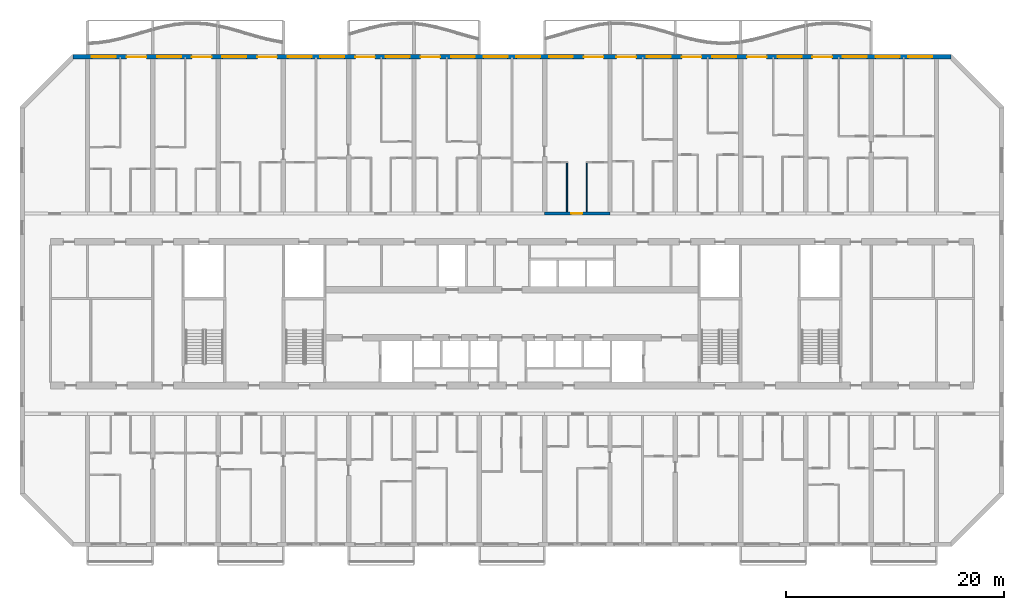
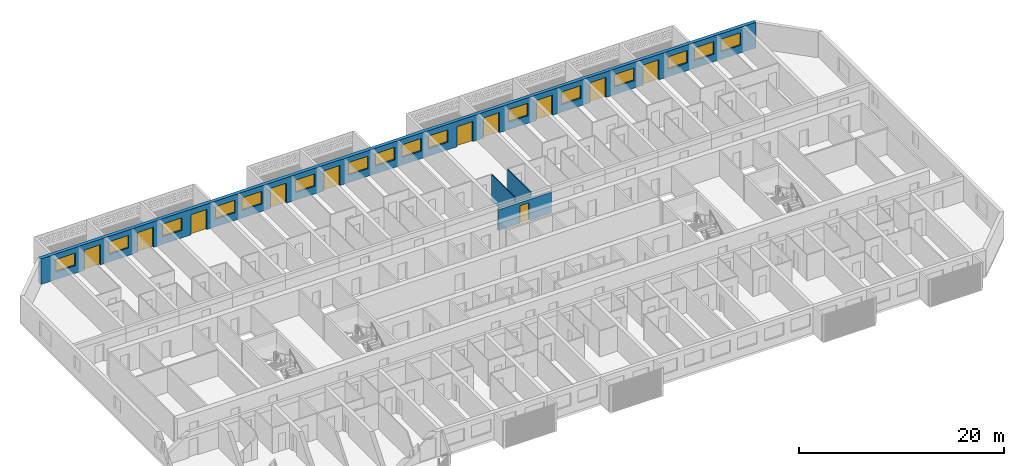
# One storey, part 12 of 39: 16 windows, 11 doors, 4 walls, 27 openings.
"""IFC4 building model written with IfcOpenShell, lengths in metres."""

from ifc_helpers import new_model, si_unit, direction, frame, frame_2d, origin, place, context, subcontext, project, spatial, rectangle, extrude, material, layer, layer_set, type_object, element, fill, save


model = new_model("IFC4")

# Units and contexts
model_context = context("Model", 3, precision=1e-05, world=origin(), true_north=direction((0.0, 1.0)))
body_context = subcontext(model_context, "Body", "Model", "MODEL_VIEW")
ifc_project = project(units=[si_unit("LENGTHUNIT", "METRE"), si_unit("AREAUNIT", "SQUARE_METRE"), si_unit("VOLUMEUNIT", "CUBIC_METRE"), si_unit("PLANEANGLEUNIT", "RADIAN"), si_unit("MASSUNIT", "GRAM", prefix="KILO")], contexts=[model_context])

# Site, building, storey
site_placement = place(None, origin())
site = spatial("IfcSite", under=ifc_project, at=site_placement, CompositionType="ELEMENT")
building_placement = place(site_placement, origin())
building = spatial("IfcBuilding", under=site, at=building_placement, Name="Poui Terraces", CompositionType="ELEMENT")
storey_placement = place(building_placement, frame((0.0, 0.0, 59.699951171875)))
storey = spatial("IfcBuildingStorey", under=building, at=storey_placement, Name="L16", CompositionType="ELEMENT", Elevation=59.699951171875)

# Wall, opening, door
ifc_material_1 = material(Name="Concrete 80 MPa", Category="concrete")
ifc_layer_1 = layer(ifc_material_1, 0.300048828125)
ifc_layer_set_1 = layer_set([ifc_layer_1], Name="Concrete 80 MPa")
wall_type_1 = type_object("IfcWallType", Name="CORRIDOR WALL 300 80MPa", PredefinedType="SHEAR", material=ifc_layer_set_1)
wall_1_placement = place(storey_placement, frame((54.0, 30.39990234375, 0.0), z_axis=(0.0, 0.0, 1.0), x_axis=(1.0, 0.0, 0.0)))
wall_1 = element("IfcWall", 1, at=wall_1_placement, inside=storey, type_object=wall_type_1, Name="CORRIDOR WALL LINE E BAY 9", PredefinedType="SHEAR", context=body_context, shape_type="SweptSolid", body=[
    extrude(rectangle(XDim=6.0, YDim=0.300048828125, at=frame_2d((3.0, 0.0))), origin(), (0.0, 0.0, 1.0), 2.449951171875),
])
opening_1_placement = place(wall_1_placement, frame((2.449951171875, 0.0, 0.0)))
opening_1 = element("IfcOpeningElement", 2, at=opening_1_placement, cuts=wall_1, Name="Opening FD30S", PredefinedType="OPENING", context=body_context, shape_type="SweptSolid", body=[
    extrude(rectangle(XDim=1.0, YDim=2.10009765625, at=frame_2d((0.5, 1.050048828125))), frame((0.0, 0.16015625, 0.0), z_axis=(0.0, -1.0, 0.0), x_axis=(1.0, 0.0, 0.0)), (0.0, 0.0, 1.0), 0.320068359375),
])
ifc_material_2 = material(Name="Steel fire door", Category="steel")
door_type_1 = type_object("IfcDoorType", Name="FLAT ENTRANCE DOOR 1000 X 2100", OperationType="NOTDEFINED", PredefinedType="DOOR", material=ifc_material_2)
door_1_placement = place(opening_1_placement, origin())
door_1 = element("IfcDoor", 3, at=door_1_placement, inside=storey, type_object=door_type_1, Name="FLAT ENTRANCE DOOR 061", OperationType="SINGLE_SWING_LEFT", OverallHeight=2.10009765625, OverallWidth=1.0, PredefinedType="DOOR", context=body_context, shape_type="SweptSolid", body=[
    extrude(rectangle(XDim=1.0, YDim=2.10009765625, at=frame_2d((0.5, 1.050048828125))), frame((0.0, 0.02490234375, 0.0), z_axis=(0.0, -1.0, 0.0), x_axis=(1.0, 0.0, 0.0)), (0.0, 0.0, 1.0), 0.050048828125),
])
fill(opening_1, door_1)

# Wall, openings, doors, windows
ifc_material_3 = material(Name="Precast concrete 40 MPa", Category="concrete")
ifc_layer_2 = layer(ifc_material_3, 0.39990234375)
ifc_layer_set_2 = layer_set([ifc_layer_2], Name="Precast concrete 40 MPa")
wall_type_2 = type_object("IfcWallType", Name="EXTERNAL WALL 400", PredefinedType="STANDARD", material=ifc_layer_set_2)
wall_2_placement = place(storey_placement, frame((91.317138671875, 44.800048828125, 0.0), z_axis=(0.0, 0.0, 1.0), x_axis=(-1.0, 0.0, 0.0)))
wall_2 = element("IfcWall", 4, at=wall_2_placement, inside=storey, type_object=wall_type_2, Name="EXTERNAL WALL N", PredefinedType="STANDARD", context=body_context, shape_type="SweptSolid", body=[
    extrude(rectangle(XDim=80.63427734375, YDim=0.39990234375, at=frame_2d((40.317138671875, 0.0))), origin(), (0.0, 0.0, 1.0), 3.050048828125),
])
opening_2_placement = place(wall_2_placement, frame((76.71728515625, 0.0, 0.89990234375)))
opening_2 = element("IfcOpeningElement", 5, at=opening_2_placement, cuts=wall_2, Name="Opening W1", PredefinedType="OPENING", context=body_context, shape_type="SweptSolid", body=[
    extrude(rectangle(XDim=2.199951171875, YDim=1.5, at=frame_2d((1.10009765625, 0.75))), frame((0.0, 0.2099609375, 0.0), z_axis=(0.0, -1.0, 0.0), x_axis=(1.0, 0.0, 0.0)), (0.0, 0.0, 1.0), 0.419921875),
])
opening_3_placement = place(wall_2_placement, frame((73.917236328125, 0.0, 0.0)))
opening_3 = element("IfcOpeningElement", 6, at=opening_3_placement, cuts=wall_2, Name="Opening BD1", PredefinedType="OPENING", context=body_context, shape_type="SweptSolid", body=[
    extrude(rectangle(XDim=1.800048828125, YDim=2.39990234375, at=frame_2d((0.89990234375, 1.199951171875))), frame((0.0, 0.2099609375, 0.0), z_axis=(0.0, -1.0, 0.0), x_axis=(1.0, 0.0, 0.0)), (0.0, 0.0, 1.0), 0.419921875),
])
opening_4_placement = place(wall_2_placement, frame((70.71728515625, 0.0, 0.89990234375)))
opening_4 = element("IfcOpeningElement", 7, at=opening_4_placement, cuts=wall_2, Name="Opening W1", PredefinedType="OPENING", context=body_context, shape_type="SweptSolid", body=[
    extrude(rectangle(XDim=2.199951171875, YDim=1.5, at=frame_2d((1.10009765625, 0.75))), frame((0.0, 0.2099609375, 0.0), z_axis=(0.0, -1.0, 0.0), x_axis=(1.0, 0.0, 0.0)), (0.0, 0.0, 1.0), 0.419921875),
])
opening_5_placement = place(wall_2_placement, frame((67.917236328125, 0.0, 0.0)))
opening_5 = element("IfcOpeningElement", 8, at=opening_5_placement, cuts=wall_2, Name="Opening BD1", PredefinedType="OPENING", context=body_context, shape_type="SweptSolid", body=[
    extrude(rectangle(XDim=1.800048828125, YDim=2.39990234375, at=frame_2d((0.89990234375, 1.199951171875))), frame((0.0, 0.2099609375, 0.0), z_axis=(0.0, -1.0, 0.0), x_axis=(1.0, 0.0, 0.0)), (0.0, 0.0, 1.0), 0.419921875),
])
opening_6_placement = place(wall_2_placement, frame((64.71728515625, 0.0, 0.89990234375)))
opening_6 = element("IfcOpeningElement", 9, at=opening_6_placement, cuts=wall_2, Name="Opening W1", PredefinedType="OPENING", context=body_context, shape_type="SweptSolid", body=[
    extrude(rectangle(XDim=2.199951171875, YDim=1.5, at=frame_2d((1.10009765625, 0.75))), frame((0.0, 0.2099609375, 0.0), z_axis=(0.0, -1.0, 0.0), x_axis=(1.0, 0.0, 0.0)), (0.0, 0.0, 1.0), 0.419921875),
])
opening_7_placement = place(wall_2_placement, frame((61.917236328125, 0.0, 0.0)))
opening_7 = element("IfcOpeningElement", 10, at=opening_7_placement, cuts=wall_2, Name="Opening BD1", PredefinedType="OPENING", context=body_context, shape_type="SweptSolid", body=[
    extrude(rectangle(XDim=1.800048828125, YDim=2.39990234375, at=frame_2d((0.89990234375, 1.199951171875))), frame((0.0, 0.2099609375, 0.0), z_axis=(0.0, -1.0, 0.0), x_axis=(1.0, 0.0, 0.0)), (0.0, 0.0, 1.0), 0.419921875),
])
opening_8_placement = place(wall_2_placement, frame((58.71728515625, 0.0, 0.89990234375)))
opening_8 = element("IfcOpeningElement", 11, at=opening_8_placement, cuts=wall_2, Name="Opening W1", PredefinedType="OPENING", context=body_context, shape_type="SweptSolid", body=[
    extrude(rectangle(XDim=2.199951171875, YDim=1.5, at=frame_2d((1.10009765625, 0.75))), frame((0.0, 0.2099609375, 0.0), z_axis=(0.0, -1.0, 0.0), x_axis=(1.0, 0.0, 0.0)), (0.0, 0.0, 1.0), 0.419921875),
])
opening_9_placement = place(wall_2_placement, frame((55.71728515625, 0.0, 0.89990234375)))
opening_9 = element("IfcOpeningElement", 12, at=opening_9_placement, cuts=wall_2, Name="Opening W1", PredefinedType="OPENING", context=body_context, shape_type="SweptSolid", body=[
    extrude(rectangle(XDim=2.199951171875, YDim=1.5, at=frame_2d((1.10009765625, 0.75))), frame((0.0, 0.2099609375, 0.0), z_axis=(0.0, -1.0, 0.0), x_axis=(1.0, 0.0, 0.0)), (0.0, 0.0, 1.0), 0.419921875),
])
opening_10_placement = place(wall_2_placement, frame((52.917236328125, 0.0, 0.0)))
opening_10 = element("IfcOpeningElement", 13, at=opening_10_placement, cuts=wall_2, Name="Opening BD1", PredefinedType="OPENING", context=body_context, shape_type="SweptSolid", body=[
    extrude(rectangle(XDim=1.800048828125, YDim=2.39990234375, at=frame_2d((0.89990234375, 1.199951171875))), frame((0.0, 0.2099609375, 0.0), z_axis=(0.0, -1.0, 0.0), x_axis=(1.0, 0.0, 0.0)), (0.0, 0.0, 1.0), 0.419921875),
])
opening_11_placement = place(wall_2_placement, frame((49.71728515625, 0.0, 0.89990234375)))
opening_11 = element("IfcOpeningElement", 14, at=opening_11_placement, cuts=wall_2, Name="Opening W1", PredefinedType="OPENING", context=body_context, shape_type="SweptSolid", body=[
    extrude(rectangle(XDim=2.199951171875, YDim=1.5, at=frame_2d((1.10009765625, 0.75))), frame((0.0, 0.2099609375, 0.0), z_axis=(0.0, -1.0, 0.0), x_axis=(1.0, 0.0, 0.0)), (0.0, 0.0, 1.0), 0.419921875),
])
opening_12_placement = place(wall_2_placement, frame((46.917236328125, 0.0, 0.0)))
opening_12 = element("IfcOpeningElement", 15, at=opening_12_placement, cuts=wall_2, Name="Opening BD1", PredefinedType="OPENING", context=body_context, shape_type="SweptSolid", body=[
    extrude(rectangle(XDim=1.800048828125, YDim=2.39990234375, at=frame_2d((0.89990234375, 1.199951171875))), frame((0.0, 0.2099609375, 0.0), z_axis=(0.0, -1.0, 0.0), x_axis=(1.0, 0.0, 0.0)), (0.0, 0.0, 1.0), 0.419921875),
])
opening_13_placement = place(wall_2_placement, frame((43.71728515625, 0.0, 0.89990234375)))
opening_13 = element("IfcOpeningElement", 16, at=opening_13_placement, cuts=wall_2, Name="Opening W1", PredefinedType="OPENING", context=body_context, shape_type="SweptSolid", body=[
    extrude(rectangle(XDim=2.199951171875, YDim=1.5, at=frame_2d((1.10009765625, 0.75))), frame((0.0, 0.2099609375, 0.0), z_axis=(0.0, -1.0, 0.0), x_axis=(1.0, 0.0, 0.0)), (0.0, 0.0, 1.0), 0.419921875),
])
opening_14_placement = place(wall_2_placement, frame((40.71728515625, 0.0, 0.89990234375)))
opening_14 = element("IfcOpeningElement", 17, at=opening_14_placement, cuts=wall_2, Name="Opening W1", PredefinedType="OPENING", context=body_context, shape_type="SweptSolid", body=[
    extrude(rectangle(XDim=2.199951171875, YDim=1.5, at=frame_2d((1.10009765625, 0.75))), frame((0.0, 0.2099609375, 0.0), z_axis=(0.0, -1.0, 0.0), x_axis=(1.0, 0.0, 0.0)), (0.0, 0.0, 1.0), 0.419921875),
])
opening_15_placement = place(wall_2_placement, frame((37.71728515625, 0.0, 0.89990234375)))
opening_15 = element("IfcOpeningElement", 18, at=opening_15_placement, cuts=wall_2, Name="Opening W1", PredefinedType="OPENING", context=body_context, shape_type="SweptSolid", body=[
    extrude(rectangle(XDim=2.199951171875, YDim=1.5, at=frame_2d((1.10009765625, 0.75))), frame((0.0, 0.2099609375, 0.0), z_axis=(0.0, -1.0, 0.0), x_axis=(1.0, 0.0, 0.0)), (0.0, 0.0, 1.0), 0.419921875),
])
opening_16_placement = place(wall_2_placement, frame((34.71728515625, 0.0, 0.89990234375)))
opening_16 = element("IfcOpeningElement", 19, at=opening_16_placement, cuts=wall_2, Name="Opening W1", PredefinedType="OPENING", context=body_context, shape_type="SweptSolid", body=[
    extrude(rectangle(XDim=2.199951171875, YDim=1.5, at=frame_2d((1.10009765625, 0.75))), frame((0.0, 0.2099609375, 0.0), z_axis=(0.0, -1.0, 0.0), x_axis=(1.0, 0.0, 0.0)), (0.0, 0.0, 1.0), 0.419921875),
])
opening_17_placement = place(wall_2_placement, frame((31.917236328125, 0.0, 0.0)))
opening_17 = element("IfcOpeningElement", 20, at=opening_17_placement, cuts=wall_2, Name="Opening BD1", PredefinedType="OPENING", context=body_context, shape_type="SweptSolid", body=[
    extrude(rectangle(XDim=1.800048828125, YDim=2.39990234375, at=frame_2d((0.89990234375, 1.199951171875))), frame((0.0, 0.2099609375, 0.0), z_axis=(0.0, -1.0, 0.0), x_axis=(1.0, 0.0, 0.0)), (0.0, 0.0, 1.0), 0.419921875),
])
opening_18_placement = place(wall_2_placement, frame((28.917236328125, 0.0, 0.0)))
opening_18 = element("IfcOpeningElement", 21, at=opening_18_placement, cuts=wall_2, Name="Opening BD1", PredefinedType="OPENING", context=body_context, shape_type="SweptSolid", body=[
    extrude(rectangle(XDim=1.800048828125, YDim=2.39990234375, at=frame_2d((0.89990234375, 1.199951171875))), frame((0.0, 0.2099609375, 0.0), z_axis=(0.0, -1.0, 0.0), x_axis=(1.0, 0.0, 0.0)), (0.0, 0.0, 1.0), 0.419921875),
])
opening_19_placement = place(wall_2_placement, frame((25.71728515625, 0.0, 0.89990234375)))
opening_19 = element("IfcOpeningElement", 22, at=opening_19_placement, cuts=wall_2, Name="Opening W1", PredefinedType="OPENING", context=body_context, shape_type="SweptSolid", body=[
    extrude(rectangle(XDim=2.199951171875, YDim=1.5, at=frame_2d((1.10009765625, 0.75))), frame((0.0, 0.2099609375, 0.0), z_axis=(0.0, -1.0, 0.0), x_axis=(1.0, 0.0, 0.0)), (0.0, 0.0, 1.0), 0.419921875),
])
opening_20_placement = place(wall_2_placement, frame((22.917236328125, 0.0, 0.0)))
opening_20 = element("IfcOpeningElement", 23, at=opening_20_placement, cuts=wall_2, Name="Opening BD1", PredefinedType="OPENING", context=body_context, shape_type="SweptSolid", body=[
    extrude(rectangle(XDim=1.800048828125, YDim=2.39990234375, at=frame_2d((0.89990234375, 1.199951171875))), frame((0.0, 0.2099609375, 0.0), z_axis=(0.0, -1.0, 0.0), x_axis=(1.0, 0.0, 0.0)), (0.0, 0.0, 1.0), 0.419921875),
])
opening_21_placement = place(wall_2_placement, frame((19.71728515625, 0.0, 0.89990234375)))
opening_21 = element("IfcOpeningElement", 24, at=opening_21_placement, cuts=wall_2, Name="Opening W1", PredefinedType="OPENING", context=body_context, shape_type="SweptSolid", body=[
    extrude(rectangle(XDim=2.199951171875, YDim=1.5, at=frame_2d((1.10009765625, 0.75))), frame((0.0, 0.2099609375, 0.0), z_axis=(0.0, -1.0, 0.0), x_axis=(1.0, 0.0, 0.0)), (0.0, 0.0, 1.0), 0.419921875),
])
opening_22_placement = place(wall_2_placement, frame((16.917236328125, 0.0, 0.0)))
opening_22 = element("IfcOpeningElement", 25, at=opening_22_placement, cuts=wall_2, Name="Opening BD1", PredefinedType="OPENING", context=body_context, shape_type="SweptSolid", body=[
    extrude(rectangle(XDim=1.800048828125, YDim=2.39990234375, at=frame_2d((0.89990234375, 1.199951171875))), frame((0.0, 0.2099609375, 0.0), z_axis=(0.0, -1.0, 0.0), x_axis=(1.0, 0.0, 0.0)), (0.0, 0.0, 1.0), 0.419921875),
])
opening_23_placement = place(wall_2_placement, frame((13.71728515625, 0.0, 0.89990234375)))
opening_23 = element("IfcOpeningElement", 26, at=opening_23_placement, cuts=wall_2, Name="Opening W1", PredefinedType="OPENING", context=body_context, shape_type="SweptSolid", body=[
    extrude(rectangle(XDim=2.199951171875, YDim=1.5, at=frame_2d((1.10009765625, 0.75))), frame((0.0, 0.2099609375, 0.0), z_axis=(0.0, -1.0, 0.0), x_axis=(1.0, 0.0, 0.0)), (0.0, 0.0, 1.0), 0.419921875),
])
opening_24_placement = place(wall_2_placement, frame((10.917236328125, 0.0, 0.0)))
opening_24 = element("IfcOpeningElement", 27, at=opening_24_placement, cuts=wall_2, Name="Opening BD1", PredefinedType="OPENING", context=body_context, shape_type="SweptSolid", body=[
    extrude(rectangle(XDim=1.800048828125, YDim=2.39990234375, at=frame_2d((0.89990234375, 1.199951171875))), frame((0.0, 0.2099609375, 0.0), z_axis=(0.0, -1.0, 0.0), x_axis=(1.0, 0.0, 0.0)), (0.0, 0.0, 1.0), 0.419921875),
])
opening_25_placement = place(wall_2_placement, frame((7.71728515625, 0.0, 0.89990234375)))
opening_25 = element("IfcOpeningElement", 28, at=opening_25_placement, cuts=wall_2, Name="Opening W1", PredefinedType="OPENING", context=body_context, shape_type="SweptSolid", body=[
    extrude(rectangle(XDim=2.199951171875, YDim=1.5, at=frame_2d((1.10009765625, 0.75))), frame((0.0, 0.2099609375, 0.0), z_axis=(0.0, -1.0, 0.0), x_axis=(1.0, 0.0, 0.0)), (0.0, 0.0, 1.0), 0.419921875),
])
opening_26_placement = place(wall_2_placement, frame((4.71728515625, 0.0, 0.89990234375)))
opening_26 = element("IfcOpeningElement", 29, at=opening_26_placement, cuts=wall_2, Name="Opening W1", PredefinedType="OPENING", context=body_context, shape_type="SweptSolid", body=[
    extrude(rectangle(XDim=2.199951171875, YDim=1.5, at=frame_2d((1.10009765625, 0.75))), frame((0.0, 0.2099609375, 0.0), z_axis=(0.0, -1.0, 0.0), x_axis=(1.0, 0.0, 0.0)), (0.0, 0.0, 1.0), 0.419921875),
])
opening_27_placement = place(wall_2_placement, frame((1.71728515625, 0.0, 0.89990234375)))
opening_27 = element("IfcOpeningElement", 30, at=opening_27_placement, cuts=wall_2, Name="Opening W1", PredefinedType="OPENING", context=body_context, shape_type="SweptSolid", body=[
    extrude(rectangle(XDim=2.199951171875, YDim=1.5, at=frame_2d((1.10009765625, 0.75))), frame((0.0, 0.2099609375, 0.0), z_axis=(0.0, -1.0, 0.0), x_axis=(1.0, 0.0, 0.0)), (0.0, 0.0, 1.0), 0.419921875),
])
ifc_material_4 = material(Name="Clear glass in aluminium frame", Category="aluminium")
door_type_2 = type_object("IfcDoorType", Name="BALCONY DOOR 1800X2400", OperationType="DOUBLE_DOOR_SLIDING", PredefinedType="DOOR", material=ifc_material_4)
door_2_placement = place(opening_3_placement, origin())
door_2 = element("IfcDoor", 31, at=door_2_placement, inside=storey, type_object=door_type_2, Name="BD1 BALCONY DOOR", OperationType="DOUBLE_DOOR_SLIDING", OverallHeight=2.39990234375, OverallWidth=1.800048828125, PredefinedType="DOOR", context=body_context, shape_type="SweptSolid", body=[
    extrude(rectangle(XDim=1.800048828125, YDim=2.39990234375, at=frame_2d((0.89990234375, 1.199951171875))), frame((0.0, 0.02490234375, 0.0), z_axis=(0.0, -1.0, 0.0), x_axis=(1.0, 0.0, 0.0)), (0.0, 0.0, 1.0), 0.050048828125),
])
fill(opening_3, door_2)
door_3_placement = place(opening_5_placement, origin())
door_3 = element("IfcDoor", 32, at=door_3_placement, inside=storey, type_object=door_type_2, Name="BD1 BALCONY DOOR", OperationType="DOUBLE_DOOR_SLIDING", OverallHeight=2.39990234375, OverallWidth=1.800048828125, PredefinedType="DOOR", context=body_context, shape_type="SweptSolid", body=[
    extrude(rectangle(XDim=1.800048828125, YDim=2.39990234375, at=frame_2d((0.89990234375, 1.199951171875))), frame((0.0, 0.02490234375, 0.0), z_axis=(0.0, -1.0, 0.0), x_axis=(1.0, 0.0, 0.0)), (0.0, 0.0, 1.0), 0.050048828125),
])
fill(opening_5, door_3)
door_4_placement = place(opening_7_placement, origin())
door_4 = element("IfcDoor", 33, at=door_4_placement, inside=storey, type_object=door_type_2, Name="BD1 BALCONY DOOR", OperationType="DOUBLE_DOOR_SLIDING", OverallHeight=2.39990234375, OverallWidth=1.800048828125, PredefinedType="DOOR", context=body_context, shape_type="SweptSolid", body=[
    extrude(rectangle(XDim=1.800048828125, YDim=2.39990234375, at=frame_2d((0.89990234375, 1.199951171875))), frame((0.0, 0.02490234375, 0.0), z_axis=(0.0, -1.0, 0.0), x_axis=(1.0, 0.0, 0.0)), (0.0, 0.0, 1.0), 0.050048828125),
])
fill(opening_7, door_4)
door_5_placement = place(opening_10_placement, origin())
door_5 = element("IfcDoor", 34, at=door_5_placement, inside=storey, type_object=door_type_2, Name="BD1 BALCONY DOOR", OperationType="DOUBLE_DOOR_SLIDING", OverallHeight=2.39990234375, OverallWidth=1.800048828125, PredefinedType="DOOR", context=body_context, shape_type="SweptSolid", body=[
    extrude(rectangle(XDim=1.800048828125, YDim=2.39990234375, at=frame_2d((0.89990234375, 1.199951171875))), frame((0.0, 0.02490234375, 0.0), z_axis=(0.0, -1.0, 0.0), x_axis=(1.0, 0.0, 0.0)), (0.0, 0.0, 1.0), 0.050048828125),
])
fill(opening_10, door_5)
door_6_placement = place(opening_12_placement, origin())
door_6 = element("IfcDoor", 35, at=door_6_placement, inside=storey, type_object=door_type_2, Name="BD1 BALCONY DOOR", OperationType="DOUBLE_DOOR_SLIDING", OverallHeight=2.39990234375, OverallWidth=1.800048828125, PredefinedType="DOOR", context=body_context, shape_type="SweptSolid", body=[
    extrude(rectangle(XDim=1.800048828125, YDim=2.39990234375, at=frame_2d((0.89990234375, 1.199951171875))), frame((0.0, 0.02490234375, 0.0), z_axis=(0.0, -1.0, 0.0), x_axis=(1.0, 0.0, 0.0)), (0.0, 0.0, 1.0), 0.050048828125),
])
fill(opening_12, door_6)
door_7_placement = place(opening_17_placement, origin())
door_7 = element("IfcDoor", 36, at=door_7_placement, inside=storey, type_object=door_type_2, Name="BD1 BALCONY DOOR", OperationType="DOUBLE_DOOR_SLIDING", OverallHeight=2.39990234375, OverallWidth=1.800048828125, PredefinedType="DOOR", context=body_context, shape_type="SweptSolid", body=[
    extrude(rectangle(XDim=1.800048828125, YDim=2.39990234375, at=frame_2d((0.89990234375, 1.199951171875))), frame((0.0, 0.02490234375, 0.0), z_axis=(0.0, -1.0, 0.0), x_axis=(1.0, 0.0, 0.0)), (0.0, 0.0, 1.0), 0.050048828125),
])
fill(opening_17, door_7)
door_8_placement = place(opening_18_placement, origin())
door_8 = element("IfcDoor", 37, at=door_8_placement, inside=storey, type_object=door_type_2, Name="BD1 BALCONY DOOR", OperationType="DOUBLE_DOOR_SLIDING", OverallHeight=2.39990234375, OverallWidth=1.800048828125, PredefinedType="DOOR", context=body_context, shape_type="SweptSolid", body=[
    extrude(rectangle(XDim=1.800048828125, YDim=2.39990234375, at=frame_2d((0.89990234375, 1.199951171875))), frame((0.0, 0.02490234375, 0.0), z_axis=(0.0, -1.0, 0.0), x_axis=(1.0, 0.0, 0.0)), (0.0, 0.0, 1.0), 0.050048828125),
])
fill(opening_18, door_8)
door_9_placement = place(opening_20_placement, origin())
door_9 = element("IfcDoor", 38, at=door_9_placement, inside=storey, type_object=door_type_2, Name="BD1 BALCONY DOOR", OperationType="DOUBLE_DOOR_SLIDING", OverallHeight=2.39990234375, OverallWidth=1.800048828125, PredefinedType="DOOR", context=body_context, shape_type="SweptSolid", body=[
    extrude(rectangle(XDim=1.800048828125, YDim=2.39990234375, at=frame_2d((0.89990234375, 1.199951171875))), frame((0.0, 0.02490234375, 0.0), z_axis=(0.0, -1.0, 0.0), x_axis=(1.0, 0.0, 0.0)), (0.0, 0.0, 1.0), 0.050048828125),
])
fill(opening_20, door_9)
door_10_placement = place(opening_22_placement, origin())
door_10 = element("IfcDoor", 39, at=door_10_placement, inside=storey, type_object=door_type_2, Name="BD1 BALCONY DOOR", OperationType="DOUBLE_DOOR_SLIDING", OverallHeight=2.39990234375, OverallWidth=1.800048828125, PredefinedType="DOOR", context=body_context, shape_type="SweptSolid", body=[
    extrude(rectangle(XDim=1.800048828125, YDim=2.39990234375, at=frame_2d((0.89990234375, 1.199951171875))), frame((0.0, 0.02490234375, 0.0), z_axis=(0.0, -1.0, 0.0), x_axis=(1.0, 0.0, 0.0)), (0.0, 0.0, 1.0), 0.050048828125),
])
fill(opening_22, door_10)
door_11_placement = place(opening_24_placement, origin())
door_11 = element("IfcDoor", 40, at=door_11_placement, inside=storey, type_object=door_type_2, Name="BD1 BALCONY DOOR", OperationType="DOUBLE_DOOR_SLIDING", OverallHeight=2.39990234375, OverallWidth=1.800048828125, PredefinedType="DOOR", context=body_context, shape_type="SweptSolid", body=[
    extrude(rectangle(XDim=1.800048828125, YDim=2.39990234375, at=frame_2d((0.89990234375, 1.199951171875))), frame((0.0, 0.02490234375, 0.0), z_axis=(0.0, -1.0, 0.0), x_axis=(1.0, 0.0, 0.0)), (0.0, 0.0, 1.0), 0.050048828125),
])
fill(opening_24, door_11)
window_type = type_object("IfcWindowType", Name="WINDOW 2200X1500", PartitioningType="DOUBLE_PANEL_HORIZONTAL", PredefinedType="WINDOW", material=ifc_material_4)
window_1_placement = place(opening_2_placement, origin())
window_1 = element("IfcWindow", 41, at=window_1_placement, inside=storey, type_object=window_type, Name="W1 WINDOW", OverallHeight=1.5, OverallWidth=2.199951171875, PartitioningType="DOUBLE_PANEL_HORIZONTAL", PredefinedType="WINDOW", context=body_context, shape_type="SweptSolid", body=[
    extrude(rectangle(XDim=2.199951171875, YDim=1.5, at=frame_2d((1.10009765625, 0.75))), frame((0.0, 0.030029296875, 0.0), z_axis=(0.0, -1.0, 0.0), x_axis=(1.0, 0.0, 0.0)), (0.0, 0.0, 1.0), 0.06005859375),
])
fill(opening_2, window_1)
window_2_placement = place(opening_4_placement, origin())
window_2 = element("IfcWindow", 42, at=window_2_placement, inside=storey, type_object=window_type, Name="W1 WINDOW", OverallHeight=1.5, OverallWidth=2.199951171875, PartitioningType="DOUBLE_PANEL_HORIZONTAL", PredefinedType="WINDOW", context=body_context, shape_type="SweptSolid", body=[
    extrude(rectangle(XDim=2.199951171875, YDim=1.5, at=frame_2d((1.10009765625, 0.75))), frame((0.0, 0.030029296875, 0.0), z_axis=(0.0, -1.0, 0.0), x_axis=(1.0, 0.0, 0.0)), (0.0, 0.0, 1.0), 0.06005859375),
])
fill(opening_4, window_2)
window_3_placement = place(opening_6_placement, origin())
window_3 = element("IfcWindow", 43, at=window_3_placement, inside=storey, type_object=window_type, Name="W1 WINDOW", OverallHeight=1.5, OverallWidth=2.199951171875, PartitioningType="DOUBLE_PANEL_HORIZONTAL", PredefinedType="WINDOW", context=body_context, shape_type="SweptSolid", body=[
    extrude(rectangle(XDim=2.199951171875, YDim=1.5, at=frame_2d((1.10009765625, 0.75))), frame((0.0, 0.030029296875, 0.0), z_axis=(0.0, -1.0, 0.0), x_axis=(1.0, 0.0, 0.0)), (0.0, 0.0, 1.0), 0.06005859375),
])
fill(opening_6, window_3)
window_4_placement = place(opening_8_placement, origin())
window_4 = element("IfcWindow", 44, at=window_4_placement, inside=storey, type_object=window_type, Name="W1 WINDOW", OverallHeight=1.5, OverallWidth=2.199951171875, PartitioningType="DOUBLE_PANEL_HORIZONTAL", PredefinedType="WINDOW", context=body_context, shape_type="SweptSolid", body=[
    extrude(rectangle(XDim=2.199951171875, YDim=1.5, at=frame_2d((1.10009765625, 0.75))), frame((0.0, 0.030029296875, 0.0), z_axis=(0.0, -1.0, 0.0), x_axis=(1.0, 0.0, 0.0)), (0.0, 0.0, 1.0), 0.06005859375),
])
fill(opening_8, window_4)
window_5_placement = place(opening_9_placement, origin())
window_5 = element("IfcWindow", 45, at=window_5_placement, inside=storey, type_object=window_type, Name="W1 WINDOW", OverallHeight=1.5, OverallWidth=2.199951171875, PartitioningType="DOUBLE_PANEL_HORIZONTAL", PredefinedType="WINDOW", context=body_context, shape_type="SweptSolid", body=[
    extrude(rectangle(XDim=2.199951171875, YDim=1.5, at=frame_2d((1.10009765625, 0.75))), frame((0.0, 0.030029296875, 0.0), z_axis=(0.0, -1.0, 0.0), x_axis=(1.0, 0.0, 0.0)), (0.0, 0.0, 1.0), 0.06005859375),
])
fill(opening_9, window_5)
window_6_placement = place(opening_11_placement, origin())
window_6 = element("IfcWindow", 46, at=window_6_placement, inside=storey, type_object=window_type, Name="W1 WINDOW", OverallHeight=1.5, OverallWidth=2.199951171875, PartitioningType="DOUBLE_PANEL_HORIZONTAL", PredefinedType="WINDOW", context=body_context, shape_type="SweptSolid", body=[
    extrude(rectangle(XDim=2.199951171875, YDim=1.5, at=frame_2d((1.10009765625, 0.75))), frame((0.0, 0.030029296875, 0.0), z_axis=(0.0, -1.0, 0.0), x_axis=(1.0, 0.0, 0.0)), (0.0, 0.0, 1.0), 0.06005859375),
])
fill(opening_11, window_6)
window_7_placement = place(opening_13_placement, origin())
window_7 = element("IfcWindow", 47, at=window_7_placement, inside=storey, type_object=window_type, Name="W1 WINDOW", OverallHeight=1.5, OverallWidth=2.199951171875, PartitioningType="DOUBLE_PANEL_HORIZONTAL", PredefinedType="WINDOW", context=body_context, shape_type="SweptSolid", body=[
    extrude(rectangle(XDim=2.199951171875, YDim=1.5, at=frame_2d((1.10009765625, 0.75))), frame((0.0, 0.030029296875, 0.0), z_axis=(0.0, -1.0, 0.0), x_axis=(1.0, 0.0, 0.0)), (0.0, 0.0, 1.0), 0.06005859375),
])
fill(opening_13, window_7)
window_8_placement = place(opening_14_placement, origin())
window_8 = element("IfcWindow", 48, at=window_8_placement, inside=storey, type_object=window_type, Name="W1 WINDOW", OverallHeight=1.5, OverallWidth=2.199951171875, PartitioningType="DOUBLE_PANEL_HORIZONTAL", PredefinedType="WINDOW", context=body_context, shape_type="SweptSolid", body=[
    extrude(rectangle(XDim=2.199951171875, YDim=1.5, at=frame_2d((1.10009765625, 0.75))), frame((0.0, 0.030029296875, 0.0), z_axis=(0.0, -1.0, 0.0), x_axis=(1.0, 0.0, 0.0)), (0.0, 0.0, 1.0), 0.06005859375),
])
fill(opening_14, window_8)
window_9_placement = place(opening_15_placement, origin())
window_9 = element("IfcWindow", 49, at=window_9_placement, inside=storey, type_object=window_type, Name="W1 WINDOW", OverallHeight=1.5, OverallWidth=2.199951171875, PartitioningType="DOUBLE_PANEL_HORIZONTAL", PredefinedType="WINDOW", context=body_context, shape_type="SweptSolid", body=[
    extrude(rectangle(XDim=2.199951171875, YDim=1.5, at=frame_2d((1.10009765625, 0.75))), frame((0.0, 0.030029296875, 0.0), z_axis=(0.0, -1.0, 0.0), x_axis=(1.0, 0.0, 0.0)), (0.0, 0.0, 1.0), 0.06005859375),
])
fill(opening_15, window_9)
window_10_placement = place(opening_16_placement, origin())
window_10 = element("IfcWindow", 50, at=window_10_placement, inside=storey, type_object=window_type, Name="W1 WINDOW", OverallHeight=1.5, OverallWidth=2.199951171875, PartitioningType="DOUBLE_PANEL_HORIZONTAL", PredefinedType="WINDOW", context=body_context, shape_type="SweptSolid", body=[
    extrude(rectangle(XDim=2.199951171875, YDim=1.5, at=frame_2d((1.10009765625, 0.75))), frame((0.0, 0.030029296875, 0.0), z_axis=(0.0, -1.0, 0.0), x_axis=(1.0, 0.0, 0.0)), (0.0, 0.0, 1.0), 0.06005859375),
])
fill(opening_16, window_10)
window_11_placement = place(opening_19_placement, origin())
window_11 = element("IfcWindow", 51, at=window_11_placement, inside=storey, type_object=window_type, Name="W1 WINDOW", OverallHeight=1.5, OverallWidth=2.199951171875, PartitioningType="DOUBLE_PANEL_HORIZONTAL", PredefinedType="WINDOW", context=body_context, shape_type="SweptSolid", body=[
    extrude(rectangle(XDim=2.199951171875, YDim=1.5, at=frame_2d((1.10009765625, 0.75))), frame((0.0, 0.030029296875, 0.0), z_axis=(0.0, -1.0, 0.0), x_axis=(1.0, 0.0, 0.0)), (0.0, 0.0, 1.0), 0.06005859375),
])
fill(opening_19, window_11)
window_12_placement = place(opening_21_placement, origin())
window_12 = element("IfcWindow", 52, at=window_12_placement, inside=storey, type_object=window_type, Name="W1 WINDOW", OverallHeight=1.5, OverallWidth=2.199951171875, PartitioningType="DOUBLE_PANEL_HORIZONTAL", PredefinedType="WINDOW", context=body_context, shape_type="SweptSolid", body=[
    extrude(rectangle(XDim=2.199951171875, YDim=1.5, at=frame_2d((1.10009765625, 0.75))), frame((0.0, 0.030029296875, 0.0), z_axis=(0.0, -1.0, 0.0), x_axis=(1.0, 0.0, 0.0)), (0.0, 0.0, 1.0), 0.06005859375),
])
fill(opening_21, window_12)
window_13_placement = place(opening_23_placement, origin())
window_13 = element("IfcWindow", 53, at=window_13_placement, inside=storey, type_object=window_type, Name="W1 WINDOW", OverallHeight=1.5, OverallWidth=2.199951171875, PartitioningType="DOUBLE_PANEL_HORIZONTAL", PredefinedType="WINDOW", context=body_context, shape_type="SweptSolid", body=[
    extrude(rectangle(XDim=2.199951171875, YDim=1.5, at=frame_2d((1.10009765625, 0.75))), frame((0.0, 0.030029296875, 0.0), z_axis=(0.0, -1.0, 0.0), x_axis=(1.0, 0.0, 0.0)), (0.0, 0.0, 1.0), 0.06005859375),
])
fill(opening_23, window_13)
window_14_placement = place(opening_25_placement, origin())
window_14 = element("IfcWindow", 54, at=window_14_placement, inside=storey, type_object=window_type, Name="W1 WINDOW", OverallHeight=1.5, OverallWidth=2.199951171875, PartitioningType="DOUBLE_PANEL_HORIZONTAL", PredefinedType="WINDOW", context=body_context, shape_type="SweptSolid", body=[
    extrude(rectangle(XDim=2.199951171875, YDim=1.5, at=frame_2d((1.10009765625, 0.75))), frame((0.0, 0.030029296875, 0.0), z_axis=(0.0, -1.0, 0.0), x_axis=(1.0, 0.0, 0.0)), (0.0, 0.0, 1.0), 0.06005859375),
])
fill(opening_25, window_14)
window_15_placement = place(opening_26_placement, origin())
window_15 = element("IfcWindow", 55, at=window_15_placement, inside=storey, type_object=window_type, Name="W1 WINDOW", OverallHeight=1.5, OverallWidth=2.199951171875, PartitioningType="DOUBLE_PANEL_HORIZONTAL", PredefinedType="WINDOW", context=body_context, shape_type="SweptSolid", body=[
    extrude(rectangle(XDim=2.199951171875, YDim=1.5, at=frame_2d((1.10009765625, 0.75))), frame((0.0, 0.030029296875, 0.0), z_axis=(0.0, -1.0, 0.0), x_axis=(1.0, 0.0, 0.0)), (0.0, 0.0, 1.0), 0.06005859375),
])
fill(opening_26, window_15)
window_16_placement = place(opening_27_placement, origin())
window_16 = element("IfcWindow", 56, at=window_16_placement, inside=storey, type_object=window_type, Name="W1 WINDOW", OverallHeight=1.5, OverallWidth=2.199951171875, PartitioningType="DOUBLE_PANEL_HORIZONTAL", PredefinedType="WINDOW", context=body_context, shape_type="SweptSolid", body=[
    extrude(rectangle(XDim=2.199951171875, YDim=1.5, at=frame_2d((1.10009765625, 0.75))), frame((0.0, 0.030029296875, 0.0), z_axis=(0.0, -1.0, 0.0), x_axis=(1.0, 0.0, 0.0)), (0.0, 0.0, 1.0), 0.06005859375),
])
fill(opening_27, window_16)

# Walls
ifc_material_5 = material(Name="Plasterboard partition")
ifc_layer_3 = layer(ifc_material_5, 0.10009765625)
ifc_layer_set_3 = layer_set([ifc_layer_3], Name="Plasterboard partition")
wall_type_3 = type_object("IfcWallType", Name="FLAT PARTITION 100", PredefinedType="PARTITIONING", material=ifc_layer_set_3)
for number, where, z_axis, x_axis, name in (
    (57, (56.050048828125, 30.56005859375, 0.0), (0.0, 0.0, 1.0), (0.0, 1.0, 0.0), "FLAT PARTITION 100"),
    (58, (57.85009765625, 30.56005859375, 0.0), (0.0, 0.0, 1.0), (0.0, 1.0, 0.0), "FLAT PARTITION 100"),
):
    element("IfcWall", number, at=place(storey_placement, frame(where, z_axis=z_axis, x_axis=x_axis)), inside=storey, type_object=wall_type_3, Name=name, PredefinedType="PARTITIONING", context=body_context, shape_type="SweptSolid", body=[
        extrude(rectangle(XDim=4.489990234375, YDim=0.10009765625, at=frame_2d((2.2451171875, 0.0))), origin(), (0.0, 0.0, 1.0), 3.050048828125),
    ])

save(model, "model.ifc")
